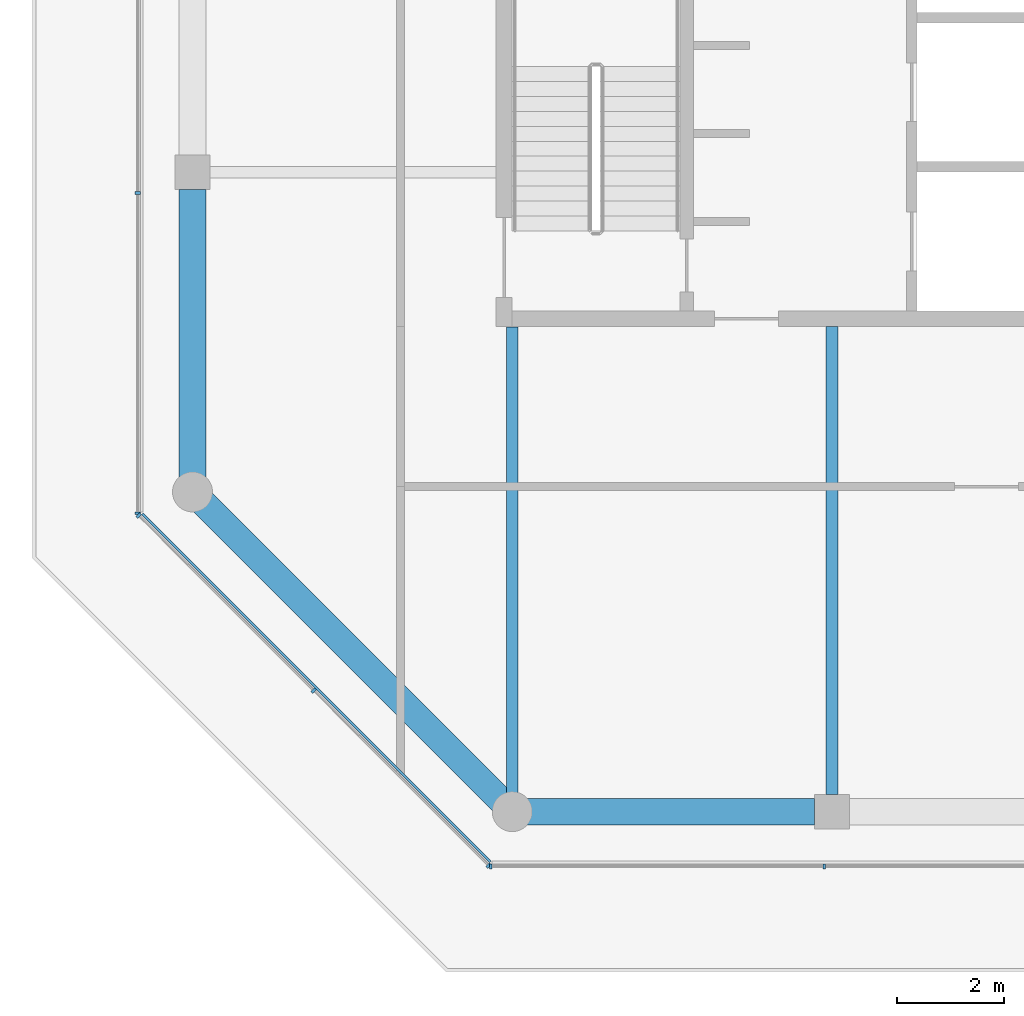
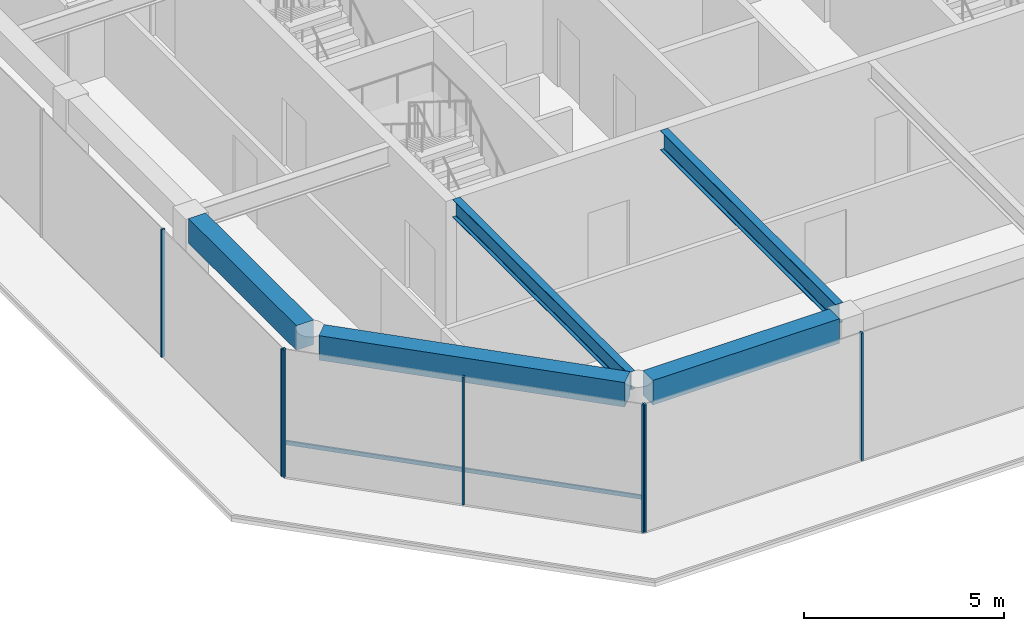
# One storey, part 2 of 21: 8 members, 5 beams, 3 elements without a shape of their own.
"""IFC4 building model written with IfcOpenShell, lengths in metres."""

from ifc_helpers import new_model, si_unit, direction, frame, origin, origin_2d, place, context, subcontext, project, spatial, rectangle, i_section, extrude, material, layer, layer_set, material_profile, profile_set, type_object, element, aggregate, save


model = new_model("IFC4")

# Units and contexts
model_context = context("Model", 3, precision=1e-05, world=origin(), true_north=direction((0.0, 1.0)))
body_context = subcontext(model_context, "Body", "Model", "MODEL_VIEW")
ifc_project = project(units=[si_unit("LENGTHUNIT", "METRE"), si_unit("AREAUNIT", "SQUARE_METRE"), si_unit("VOLUMEUNIT", "CUBIC_METRE"), si_unit("PLANEANGLEUNIT", "RADIAN"), si_unit("MASSUNIT", "GRAM", prefix="KILO")], contexts=[model_context])

# Site, building, storey
site_placement = place(None, origin())
site = spatial("IfcSite", under=ifc_project, at=site_placement, CompositionType="ELEMENT")
building_placement = place(site_placement, origin())
building = spatial("IfcBuilding", under=site, at=building_placement, Name="Welwitschia Terrace Campus", CompositionType="ELEMENT")
storey_placement = place(building_placement, frame((0.0, 0.0, 331.39990234375)))
storey = spatial("IfcBuildingStorey", under=building, at=storey_placement, Name="L74", CompositionType="ELEMENT", Elevation=331.39990234375)

# Beam
ifc_material_1 = material(Name="Steel S355", Category="steel")
ifc_material_profile_1 = material_profile(ifc_material_1, i_section(OverallWidth=0.2099609375, OverallDepth=0.550048828125, WebThickness=0.010986328125, FlangeThickness=0.01708984375, FilletRadius=0.02392578125, at=origin_2d()))
ifc_profile_set_1 = profile_set([ifc_material_profile_1], Name="Steel S355")
beam_type_1 = type_object("IfcBeamType", Name="Interior girder IPE 550", PredefinedType="BEAM", material=ifc_profile_set_1)
beam_1_placement = place(storey_placement, frame((6.0, -3.6494140625, 3.625), z_axis=(0.0, 1.0, 0.0), x_axis=(-1.0, 0.0, 0.0)))
element("IfcBeam", 1, at=beam_1_placement, inside=storey, type_object=beam_type_1, Name="Girder GB7", PredefinedType="BEAM", context=body_context, shape_type="SweptSolid", body=[
    extrude(i_section(OverallWidth=0.2099609375, OverallDepth=0.550048828125, WebThickness=0.010986328125, FlangeThickness=0.01708984375, FilletRadius=0.02392578125, at=origin_2d()), origin(), (0.0, 0.0, 1.0), 8.74853515625),
])

# Curtain wall, members
ifc_material_2 = material(Name="Bronze anodised aluminium", Category="aluminium")
ifc_layer = layer(ifc_material_2, 0.10009765625)
ifc_layer_set = layer_set([ifc_layer], Name="Bronze anodised aluminium")
curtain_wall_type = type_object("IfcCurtainWallType", Name="Curtain wall CW5 crown 6000", PredefinedType="NOTDEFINED", material=ifc_layer_set)
curtain_wall_1_placement = place(storey_placement, origin())
curtain_wall_1 = element("IfcCurtainWall", 2, at=curtain_wall_1_placement, inside=storey, type_object=curtain_wall_type, Name="CW L74.1.0", PredefinedType="NOTDEFINED")
ifc_material_3 = material(Name="Bronze anodised aluminium", Category="aluminium")
ifc_material_profile_2 = material_profile(ifc_material_3, rectangle(XDim=0.10009765625, YDim=0.050048828125, at=origin_2d()))
ifc_profile_set_2 = profile_set([ifc_material_profile_2], Name="Bronze anodised aluminium")
member_type_1 = type_object("IfcMemberType", Name="Mullion 50x100", PredefinedType="MULLION", material=ifc_profile_set_2)
member_1_placement = place(storey_placement, frame((-1.030029296875, 7.609619140625, 0.0), z_axis=(0.0, 0.0, 1.0), x_axis=(1.0, 0.0, 0.0)))
member_1 = element("IfcMember", 3, at=member_1_placement, type_object=member_type_1, Name="Mullion L74.1.0.2", PredefinedType="MULLION", context=body_context, shape_type="SweptSolid", body=[
    extrude(rectangle(XDim=0.10009765625, YDim=0.050048828125, at=origin_2d()), origin(), (0.0, 0.0, 1.0), 3.900146484375),
])
member_2_placement = place(storey_placement, frame((-1.030029296875, 1.598388671875, 0.0), z_axis=(0.0, 0.0, 1.0), x_axis=(1.0, 0.0, 0.0)))
member_2 = element("IfcMember", 4, at=member_2_placement, type_object=member_type_1, Name="Mullion L74.1.0.3", PredefinedType="MULLION", context=body_context, shape_type="SweptSolid", body=[
    extrude(rectangle(XDim=0.10009765625, YDim=0.050048828125, at=origin_2d()), origin(), (0.0, 0.0, 1.0), 3.900146484375),
])
aggregate(curtain_wall_1, [member_1, member_2])

curtain_wall_2_placement = place(storey_placement, origin())
curtain_wall_2 = element("IfcCurtainWall", 5, at=curtain_wall_2_placement, inside=storey, type_object=curtain_wall_type, Name="CW L74.2.0", PredefinedType="NOTDEFINED")
member_3_placement = place(storey_placement, frame((-1.01220703125, 1.5556640625, 0.0), z_axis=(0.0, 0.0, 1.0), x_axis=(0.707106781187, 0.707106781187, 0.0)))
member_3 = element("IfcMember", 6, at=member_3_placement, type_object=member_type_1, Name="Mullion L74.2.0.0", PredefinedType="MULLION", context=body_context, shape_type="SweptSolid", body=[
    extrude(rectangle(XDim=0.10009765625, YDim=0.050048828125, at=origin_2d()), origin(), (0.0, 0.0, 1.0), 3.900146484375),
])
member_4_placement = place(storey_placement, frame((2.271728515625, -1.728271484375, 0.0), z_axis=(0.0, 0.0, 1.0), x_axis=(0.707106781187, 0.707106781187, 0.0)))
member_4 = element("IfcMember", 7, at=member_4_placement, type_object=member_type_1, Name="Mullion L74.2.0.1", PredefinedType="MULLION", context=body_context, shape_type="SweptSolid", body=[
    extrude(rectangle(XDim=0.10009765625, YDim=0.050048828125, at=origin_2d()), origin(), (0.0, 0.0, 1.0), 3.900146484375),
])
member_5_placement = place(storey_placement, frame((5.5556640625, -5.01220703125, 0.0), z_axis=(0.0, 0.0, 1.0), x_axis=(0.707106781187, 0.707106781187, 0.0)))
member_5 = element("IfcMember", 8, at=member_5_placement, type_object=member_type_1, Name="Mullion L74.2.0.2", PredefinedType="MULLION", context=body_context, shape_type="SweptSolid", body=[
    extrude(rectangle(XDim=0.10009765625, YDim=0.050048828125, at=origin_2d()), origin(), (0.0, 0.0, 1.0), 3.900146484375),
])

curtain_wall_3_placement = place(storey_placement, origin())
curtain_wall_3 = element("IfcCurtainWall", 9, at=curtain_wall_3_placement, inside=storey, type_object=curtain_wall_type, Name="CW L74.3.0", PredefinedType="NOTDEFINED")
member_6_placement = place(storey_placement, frame((5.598388671875, -5.030029296875, 0.0), z_axis=(0.0, 0.0, 1.0), x_axis=(0.0, 1.0, 0.0)))
member_6 = element("IfcMember", 10, at=member_6_placement, type_object=member_type_1, Name="Mullion L74.3.0.0", PredefinedType="MULLION", context=body_context, shape_type="SweptSolid", body=[
    extrude(rectangle(XDim=0.10009765625, YDim=0.050048828125, at=origin_2d()), origin(), (0.0, 0.0, 1.0), 3.900146484375),
])
member_7_placement = place(storey_placement, frame((11.857666015625, -5.030029296875, 0.0), z_axis=(0.0, 0.0, 1.0), x_axis=(0.0, 1.0, 0.0)))
member_7 = element("IfcMember", 11, at=member_7_placement, type_object=member_type_1, Name="Mullion L74.3.0.1", PredefinedType="MULLION", context=body_context, shape_type="SweptSolid", body=[
    extrude(rectangle(XDim=0.10009765625, YDim=0.050048828125, at=origin_2d()), origin(), (0.0, 0.0, 1.0), 3.900146484375),
])
aggregate(curtain_wall_3, [member_6, member_7])

# Beams
ifc_material_4 = material(Name="Steel S355", Category="steel")
ifc_material_profile_3 = material_profile(ifc_material_4, i_section(OverallWidth=0.219970703125, OverallDepth=0.60009765625, WebThickness=0.011962890625, FlangeThickness=0.01904296875, FilletRadius=0.02392578125, at=origin_2d()))
ifc_profile_set_3 = profile_set([ifc_material_profile_3], Name="Steel S355")
beam_type_2 = type_object("IfcBeamType", Name="Primary beam IPE 600", PredefinedType="BEAM", material=ifc_profile_set_3)
beam_2_placement = place(storey_placement, frame((12.0, -3.674560546875, 3.60009765625), z_axis=(0.0, 1.0, 0.0), x_axis=(-1.0, 0.0, 0.0)))
element("IfcBeam", 12, at=beam_2_placement, inside=storey, type_object=beam_type_2, Name="Primary beam PB7", PredefinedType="BEAM", context=body_context, shape_type="SweptSolid", body=[
    extrude(i_section(OverallWidth=0.219970703125, OverallDepth=0.60009765625, WebThickness=0.011962890625, FlangeThickness=0.01904296875, FilletRadius=0.02392578125, at=origin_2d()), origin(), (0.0, 0.0, 1.0), 8.774658203125),
])
ifc_material_5 = material(Name="Concrete C40/50", Category="concrete")
ifc_material_profile_4 = material_profile(ifc_material_5, rectangle(XDim=0.5, YDim=0.75, at=origin_2d()))
ifc_profile_set_4 = profile_set([ifc_material_profile_4], Name="Concrete C40/50")
beam_type_3 = type_object("IfcBeamType", Name="Ring spandrel 500x750", PredefinedType="SPANDREL", material=ifc_profile_set_4)
beam_3_placement = place(storey_placement, frame((0.1982421875, 1.8017578125, 3.525146484375), z_axis=(0.707106781187, -0.707106781187, 0.0), x_axis=(0.707106781187, 0.707106781187, 0.0)))
element("IfcBeam", 13, at=beam_3_placement, inside=storey, type_object=beam_type_3, Name="Spandrel SP5", PredefinedType="SPANDREL", context=body_context, shape_type="SweptSolid", body=[
    extrude(rectangle(XDim=0.5, YDim=0.75, at=origin_2d()), origin(), (0.0, 0.0, 1.0), 7.924560546875),
])
for number, where, z_axis, x_axis, name in (
    (14, (6.280517578125, -4.0, 3.525146484375), (1.0, 0.0, 0.0), (0.0, 1.0, 0.0), "Spandrel SP5"),
    (15, (0.0, 7.674560546875, 3.525146484375), (0.0, -1.0, 0.0), (1.0, 0.0, 0.0), "Spandrel SP5"),
):
    element("IfcBeam", number, at=place(storey_placement, frame(where, z_axis=z_axis, x_axis=x_axis)), inside=storey, type_object=beam_type_3, Name=name, PredefinedType="SPANDREL", context=body_context, shape_type="SweptSolid", body=[
        extrude(rectangle(XDim=0.5, YDim=0.75, at=origin_2d()), origin(), (0.0, 0.0, 1.0), 5.39404296875),
    ])

# Member
ifc_material_6 = material(Name="Bronze anodised aluminium", Category="aluminium")
ifc_material_profile_5 = material_profile(ifc_material_6, rectangle(XDim=0.050048828125, YDim=0.1201171875, at=origin_2d()))
ifc_profile_set_5 = profile_set([ifc_material_profile_5], Name="Bronze anodised aluminium")
member_type_2 = type_object("IfcMemberType", Name="Transom 50x120", PredefinedType="USERDEFINED", material=ifc_profile_set_5)
member_8_placement = place(storey_placement, frame((-0.941650390625, 1.591064453125, 1.0), z_axis=(0.707106781187, -0.707106781187, 0.0), x_axis=(0.707106781187, 0.707106781187, 0.0)))
member_8 = element("IfcMember", 16, at=member_8_placement, type_object=member_type_2, Name="Transom L74.2.0", ObjectType="TRANSOM", PredefinedType="USERDEFINED", context=body_context, shape_type="SweptSolid", body=[
    extrude(rectangle(XDim=0.050048828125, YDim=0.1201171875, at=origin_2d()), origin(), (0.0, 0.0, 1.0), 9.23876953125),
])

aggregate(curtain_wall_2, [member_3, member_4, member_5, member_8])

save(model, "model.ifc")
